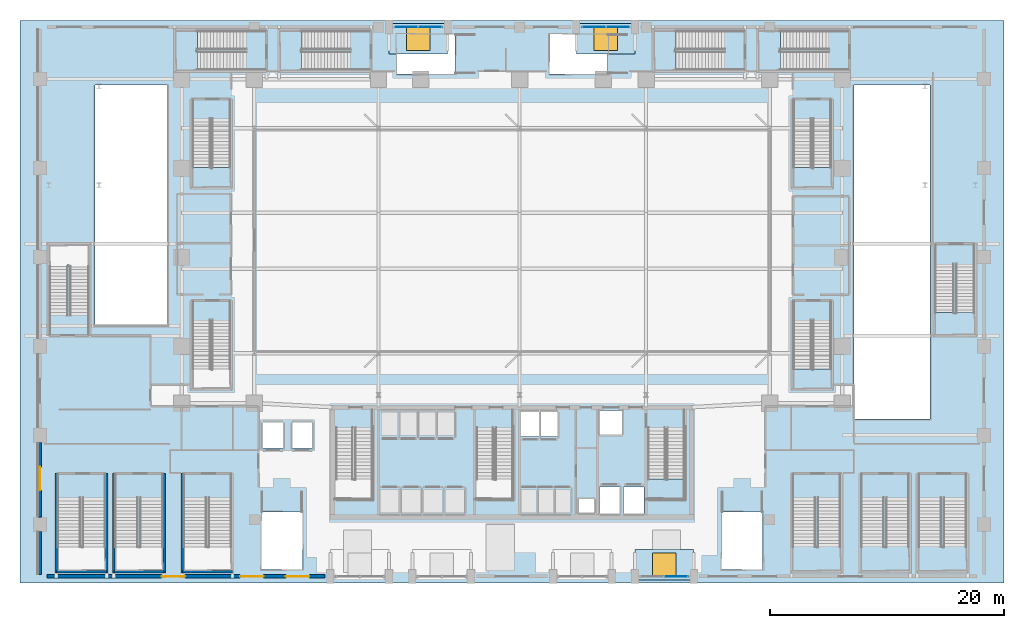
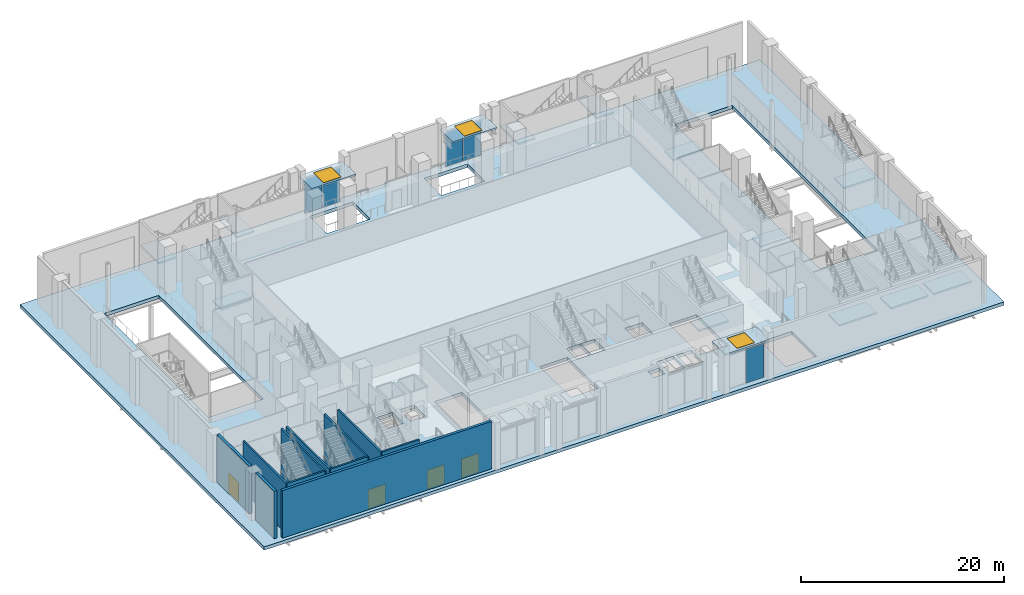
# One storey, part 17 of 36: 16 slabs, 11 walls, 5 plates, 4 doors, 3 windows, 7 openings, 15 elements without a shape of their own.
"""IFC4 building model written with IfcOpenShell, lengths in metres."""

import ifcopenshell
import ifcopenshell.guid

model = None  # the IFC model being written
_history = None  # IfcOwnerHistory: only IFC2X3 demands one
_inside = {}  # id of a spatial element -> (the spatial element, [elements in it])
_under = {}  # id of a project, library or spatial element -> (it, [spatial elements below it])
_declared = {}  # id of a project -> (the project, [libraries it declares])
_typed = {}  # id of a type object -> (the type object, [elements of that type])
_made_of = {}  # id of a material, layer set ... -> (it, [elements and type objects made of it])


def new_model(schema):
    """Start an empty IFC model of exactly this schema.

    Asked for "IFC4X3", IfcOpenShell would pick the latest addendum, in which some entities
    have other attributes; the version numbers below select the first issue.
    IFC2X3 requires an IfcOwnerHistory on every rooted entity: one is made here for all.
    """
    global model, _history
    if schema == "IFC4X3":
        model = ifcopenshell.file(schema_version=(4, 3, 0, 0))
    else:
        model = ifcopenshell.file(schema=schema)
    _inside.clear()
    _under.clear()
    _declared.clear()
    _typed.clear()
    _made_of.clear()
    _history = None
    if model.schema == "IFC2X3":
        org = make("IfcOrganization", Name="unknown")
        user = make(
            "IfcPersonAndOrganization",
            ThePerson=make("IfcPerson", FamilyName="unknown"),
            TheOrganization=org,
        )
        app = make(
            "IfcApplication",
            ApplicationDeveloper=org,
            Version="unknown",
            ApplicationFullName="unknown",
            ApplicationIdentifier="unknown",
        )
        _history = make(
            "IfcOwnerHistory",
            OwningUser=user,
            OwningApplication=app,
            ChangeAction="ADDED",
            CreationDate=0,
        )
    return model


def make(cls, **values):
    """One entity of the class cls with the attributes given. An attribute that is None is left unset."""
    return model.create_entity(
        cls, **{name: value for name, value in values.items() if value is not None}
    )


def rooted(cls, **values):
    """An entity with a GlobalId (a new one), such as an element, a storey or a relation."""
    return make(cls, GlobalId=ifcopenshell.guid.new(), OwnerHistory=_history, **values)


def si_unit(unit_type, name, prefix=None):
    """IfcSIUnit, for example si_unit("LENGTHUNIT", "METRE", prefix="MILLI")."""
    return make("IfcSIUnit", UnitType=unit_type, Prefix=prefix, Name=name)


def assignment(units):
    """IfcUnitAssignment: the units of a project."""
    return None if units is None else make("IfcUnitAssignment", Units=units)


def point(xyz):
    """IfcCartesianPoint."""
    return None if xyz is None else make("IfcCartesianPoint", Coordinates=xyz)


def direction(xyz):
    """IfcDirection."""
    return None if xyz is None else make("IfcDirection", DirectionRatios=xyz)


def frame(location, z_axis=None, x_axis=None):
    """IfcAxis2Placement3D, a coordinate frame: its origin and axes. An axis left out is left unset."""
    return make(
        "IfcAxis2Placement3D",
        Location=point(location),
        Axis=direction(z_axis),
        RefDirection=direction(x_axis),
    )


def frame_2d(location, x_axis=None):
    """IfcAxis2Placement2D, a coordinate frame in the plane: its origin and x axis."""
    return make(
        "IfcAxis2Placement2D", Location=point(location), RefDirection=direction(x_axis)
    )


def origin():
    """The frame at (0, 0, 0) with its axes left unset."""
    return frame((0.0, 0.0, 0.0))


def origin_2d():
    """The frame at (0, 0) in the plane with its x axis left unset."""
    return frame_2d((0.0, 0.0))


def place(relative_to, where):
    """IfcLocalPlacement: puts the frame where relative to a parent placement (None: the world)."""
    return make(
        "IfcLocalPlacement", PlacementRelTo=relative_to, RelativePlacement=where
    )


def context(
    kind, dimensions, precision=None, world=None, true_north=None, identifier=None
):
    """IfcGeometricRepresentationContext, for example the 3D "Model" context."""
    return make(
        "IfcGeometricRepresentationContext",
        ContextIdentifier=identifier,
        ContextType=kind,
        CoordinateSpaceDimension=dimensions,
        Precision=precision,
        WorldCoordinateSystem=world,
        TrueNorth=true_north,
    )


def subcontext(parent, identifier, kind, view, scale=None):
    """IfcGeometricRepresentationSubContext, for example "Body" below "Model"."""
    return make(
        "IfcGeometricRepresentationSubContext",
        ContextIdentifier=identifier,
        ContextType=kind,
        ParentContext=parent,
        TargetScale=scale,
        TargetView=view,
    )


def project(units=None, contexts=None):
    """IfcProject with its units and contexts."""
    return rooted(
        "IfcProject",
        Name="project",
        RepresentationContexts=contexts,
        UnitsInContext=assignment(units),
    )


def spatial(cls, under=None, at=None, **own):
    """A site, building, storey or space (cls), placed at a placement, below another one or the project."""
    s = rooted(cls, ObjectPlacement=at, **own)
    if under is not None:
        _under.setdefault(under.id(), (under, []))[1].append(s)
    return s


def polyline(points):
    """IfcPolyline through the points."""
    return make("IfcPolyline", Points=[point(p) for p in points])


def profile(cls, at=None, kind="AREA", **sizes):
    """A parametric profile (cls). Its sizes go by their IFC names, for example OverallWidth=200.0."""
    return make(cls, ProfileType=kind, Position=at, **sizes)


def rectangle(**sizes):
    """IfcRectangleProfileDef."""
    return profile("IfcRectangleProfileDef", **sizes)


def outline(outer, holes=None, kind="AREA"):
    """IfcArbitraryClosedProfileDef: a profile drawn as a closed curve; with holes, ...WithVoids."""
    if holes is None:
        return make("IfcArbitraryClosedProfileDef", ProfileType=kind, OuterCurve=outer)
    return make(
        "IfcArbitraryProfileDefWithVoids",
        ProfileType=kind,
        OuterCurve=outer,
        InnerCurves=holes,
    )


def extrude(swept, where, along, depth):
    """IfcExtrudedAreaSolid: the profile swept, set in the frame where, extruded along a direction by depth."""
    return make(
        "IfcExtrudedAreaSolid",
        SweptArea=swept,
        Position=where,
        ExtrudedDirection=direction(along),
        Depth=depth,
    )


def shape(context_of_items, identifier, shape_type, items):
    """IfcShapeRepresentation: the items that make up one representation, for example the "Body"."""
    return make(
        "IfcShapeRepresentation",
        ContextOfItems=context_of_items,
        RepresentationIdentifier=identifier,
        RepresentationType=shape_type,
        Items=items,
    )


def material(Name=None, Category=None):
    """IfcMaterial."""
    return make("IfcMaterial", Name=Name, Category=Category)


def layer(
    of_material, thickness, ventilated=None, Name=None, Category=None, Priority=None
):
    """IfcMaterialLayer: one layer of a wall or slab, of a material (None: an air gap)."""
    return make(
        "IfcMaterialLayer",
        Material=of_material,
        LayerThickness=thickness,
        IsVentilated=ventilated,
        Name=Name,
        Category=Category,
        Priority=Priority,
    )


def layer_set(layers, Name=None):
    """IfcMaterialLayerSet."""
    return make("IfcMaterialLayerSet", MaterialLayers=layers, LayerSetName=Name)


def made_of(thing, what):
    """Note that an element or type object is made of a material, layer set ...; save() writes the relation."""
    if what is not None:
        _made_of.setdefault(what.id(), (what, []))[1].append(thing)
    return thing


def type_object(cls, material=None, **own):
    """A type object (cls), such as IfcWallType, which elements share."""
    return made_of(rooted(cls, **own), material)


def element(
    cls,
    number,
    at=None,
    inside=None,
    cuts=None,
    type_object=None,
    material=None,
    context=None,
    identifier="Body",
    shape_type=None,
    held_by="IfcProductDefinitionShape",
    body=None,
    shapes=None,
    **own,
):
    """One element of the class cls, such as IfcWall. Its Tag is "e" and its number.

    at: its placement. inside: the storey or other place that contains it. cuts: it is an
    opening in that element (IfcRelVoidsElement). A single representation is given by context,
    identifier, shape_type and body (its items); several are given by shapes. held_by: the class
    of the entity that holds the representations. save() writes the other relations.
    """
    e = rooted(cls, Tag="e%d" % number, ObjectPlacement=at, **own)
    if body is not None:
        shapes = [shape(context, identifier, shape_type, body)]
    if shapes is not None:
        e.Representation = make(held_by, Representations=shapes)
    if inside is not None:
        _inside.setdefault(inside.id(), (inside, []))[1].append(e)
    if cuts is not None:
        rooted(
            "IfcRelVoidsElement", RelatingBuildingElement=cuts, RelatedOpeningElement=e
        )
    if type_object is not None:
        _typed.setdefault(type_object.id(), (type_object, []))[1].append(e)
    return made_of(e, material)


def fill(opening, filler):
    """IfcRelFillsElement: the door or window that sits in an opening."""
    return rooted(
        "IfcRelFillsElement",
        RelatingOpeningElement=opening,
        RelatedBuildingElement=filler,
    )


def aggregate(whole, parts):
    """IfcRelAggregates: a whole, such as a stair, and the parts it consists of."""
    return rooted("IfcRelAggregates", RelatingObject=whole, RelatedObjects=parts)


def save(model, path):
    """Write the relations noted so far, then the file.

    IfcRelAggregates (storeys below a building ...), IfcRelContainedInSpatialStructure (elements
    in a storey), IfcRelDefinesByType, IfcRelAssociatesMaterial and IfcRelDeclares: one each for
    every whole, place, type object, material and project.
    """
    for whole, parts in _under.values():
        aggregate(whole, parts)
    for where, things in _inside.values():
        rooted(
            "IfcRelContainedInSpatialStructure",
            RelatedElements=things,
            RelatingStructure=where,
        )
    for kind, things in _typed.values():
        rooted("IfcRelDefinesByType", RelatedObjects=things, RelatingType=kind)
    for what, things in _made_of.values():
        rooted("IfcRelAssociatesMaterial", RelatedObjects=things, RelatingMaterial=what)
    for by, libraries in _declared.values():
        rooted("IfcRelDeclares", RelatingContext=by, RelatedDefinitions=libraries)
    model.write(path)


model = new_model("IFC4")

# Units and contexts
model_context = context("Model", 3, precision=1e-05, world=origin(), true_north=direction((0.0, 1.0)))
body_context = subcontext(model_context, "Body", "Model", "MODEL_VIEW")
ifc_project = project(units=[si_unit("LENGTHUNIT", "METRE"), si_unit("AREAUNIT", "SQUARE_METRE"), si_unit("VOLUMEUNIT", "CUBIC_METRE"), si_unit("PLANEANGLEUNIT", "RADIAN"), si_unit("MASSUNIT", "GRAM", prefix="KILO")], contexts=[model_context])

# Site, building, storey
site_placement = place(None, origin())
site = spatial("IfcSite", under=ifc_project, at=site_placement, CompositionType="ELEMENT")
building_placement = place(site_placement, origin())
building = spatial("IfcBuilding", under=site, at=building_placement, Name="Ndaravel Arena Tower", CompositionType="ELEMENT")
storey_placement = place(building_placement, origin())
storey = spatial("IfcBuildingStorey", under=building, at=storey_placement, Name="L00", CompositionType="ELEMENT", Elevation=0.0)

# Curtain wall, plate
ifc_material_1 = material(Name="Aluminium", Category="aluminium")
ifc_layer_1 = layer(ifc_material_1, 0.179931640625)
ifc_layer_set_1 = layer_set([ifc_layer_1], Name="Aluminium")
curtain_wall_type = type_object("IfcCurtainWallType", Name="CW-SYS-05", PredefinedType="NOTDEFINED", material=ifc_layer_set_1)
curtain_wall_1_placement = place(storey_placement, origin())
curtain_wall_1 = element("IfcCurtainWall", 1, at=curtain_wall_1_placement, inside=storey, type_object=curtain_wall_type, Name="L00 South Foyer Storefront CW-L00-SF-4", PredefinedType="NOTDEFINED")
ifc_material_2 = material(Name="Glazing", Category="glass")
ifc_layer_2 = layer(ifc_material_2, 0.0400390625)
ifc_layer_set_2 = layer_set([ifc_layer_2], Name="Glazing")
plate_type = type_object("IfcPlateType", Name="PLT-GLZ-LOWIRON", PredefinedType="CURTAIN_PANEL", material=ifc_layer_set_2)
plate_1_placement = place(storey_placement, frame((56.02490234375, 0.550048828125, 0.06005859375), z_axis=(0.0, 0.0, 1.0), x_axis=(1.0, 0.0, 0.0)))
plate_1 = element("IfcPlate", 2, at=plate_1_placement, type_object=plate_type, Name="CW-L00-SF-4 Vision Glass Panel 02", PredefinedType="CURTAIN_PANEL", context=body_context, shape_type="SweptSolid", body=[
    extrude(rectangle(XDim=1.969970703125, YDim=0.035888671875, at=origin_2d()), origin(), (0.0, 0.0, 1.0), 4.06005859375),
])
aggregate(curtain_wall_1, [plate_1])

# Curtain wall, plates
curtain_wall_2_placement = place(storey_placement, origin())
curtain_wall_2 = element("IfcCurtainWall", 3, at=curtain_wall_2_placement, inside=storey, type_object=curtain_wall_type, Name="L00 North Plaza Storefront CW-L00-NF-1", PredefinedType="NOTDEFINED")
plate_2_placement = place(storey_placement, frame((32.97509765625, 47.449951171875, 0.06005859375), z_axis=(0.0, 0.0, 1.0), x_axis=(1.0, 0.0, 0.0)))
plate_2 = element("IfcPlate", 4, at=plate_2_placement, type_object=plate_type, Name="CW-L00-NF-1 Vision Glass Panel 01", PredefinedType="CURTAIN_PANEL", context=body_context, shape_type="SweptSolid", body=[
    extrude(rectangle(XDim=1.969970703125, YDim=0.035888671875, at=origin_2d()), origin(), (0.0, 0.0, 1.0), 4.06005859375),
])
plate_3_placement = place(storey_placement, frame((35.02490234375, 47.449951171875, 0.06005859375), z_axis=(0.0, 0.0, 1.0), x_axis=(1.0, 0.0, 0.0)))
plate_3 = element("IfcPlate", 5, at=plate_3_placement, type_object=plate_type, Name="CW-L00-NF-1 Vision Glass Panel 02", PredefinedType="CURTAIN_PANEL", context=body_context, shape_type="SweptSolid", body=[
    extrude(rectangle(XDim=1.969970703125, YDim=0.035888671875, at=origin_2d()), origin(), (0.0, 0.0, 1.0), 4.06005859375),
])
aggregate(curtain_wall_2, [plate_2, plate_3])

curtain_wall_3_placement = place(storey_placement, origin())
curtain_wall_3 = element("IfcCurtainWall", 6, at=curtain_wall_3_placement, inside=storey, type_object=curtain_wall_type, Name="L00 North Plaza Storefront CW-L00-NF-2", PredefinedType="NOTDEFINED")
plate_4_placement = place(storey_placement, frame((48.97509765625, 47.449951171875, 0.06005859375), z_axis=(0.0, 0.0, 1.0), x_axis=(1.0, 0.0, 0.0)))
plate_4 = element("IfcPlate", 7, at=plate_4_placement, type_object=plate_type, Name="CW-L00-NF-2 Vision Glass Panel 01", PredefinedType="CURTAIN_PANEL", context=body_context, shape_type="SweptSolid", body=[
    extrude(rectangle(XDim=1.969970703125, YDim=0.035888671875, at=origin_2d()), origin(), (0.0, 0.0, 1.0), 4.06005859375),
])
plate_5_placement = place(storey_placement, frame((51.02490234375, 47.449951171875, 0.06005859375), z_axis=(0.0, 0.0, 1.0), x_axis=(1.0, 0.0, 0.0)))
plate_5 = element("IfcPlate", 8, at=plate_5_placement, type_object=plate_type, Name="CW-L00-NF-2 Vision Glass Panel 02", PredefinedType="CURTAIN_PANEL", context=body_context, shape_type="SweptSolid", body=[
    extrude(rectangle(XDim=1.969970703125, YDim=0.035888671875, at=origin_2d()), origin(), (0.0, 0.0, 1.0), 4.06005859375),
])
aggregate(curtain_wall_3, [plate_4, plate_5])

# Slab, opening, window
ifc_material_3 = material(Name="Concrete C40/50", Category="concrete")
ifc_layer_3 = layer(ifc_material_3, 0.199951171875)
ifc_layer_set_3 = layer_set([ifc_layer_3], Name="Concrete C40/50")
slab_type_1 = type_object("IfcSlabType", Name="SLAB-CANOPY-ROOF-200", PredefinedType="ROOF", material=ifc_layer_set_3)
slab_1_placement = place(storey_placement, frame((0.0, 0.0, 4.39990234375)))
slab_1 = element("IfcSlab", 9, at=slab_1_placement, inside=storey, type_object=slab_type_1, Name="L00 Entrance Canopy Roof 04", PredefinedType="ROOF", context=body_context, shape_type="SweptSolid", body=[
    extrude(outline(polyline([(52.5, 0.25), (57.5, 0.25), (57.5, 2.85009765625), (52.5, 2.85009765625), (52.5, 0.25)]), holes=[polyline([(54.0, 0.550048828125), (56.0, 0.550048828125), (56.0, 2.550048828125), (54.0, 2.550048828125), (54.0, 0.550048828125)])]), origin(), (0.0, 0.0, 1.0), 0.2001953125),
])
opening_1_placement = place(slab_1_placement, frame((55.0, 1.550048828125, 0.0)))
opening_1 = element("IfcOpeningElement", 10, at=opening_1_placement, cuts=slab_1, Name="Opening SK-01", PredefinedType="OPENING", context=body_context, shape_type="SweptSolid", body=[
    extrude(rectangle(XDim=2.0, YDim=2.0, at=origin_2d()), origin(), (0.0, 0.0, 1.0), 0.2001953125),
])
ifc_material_4 = material(Name="Glazing", Category="glass")
window_type = type_object("IfcWindowType", Name="WIN-SKY-2000", PartitioningType="SINGLE_PANEL", PredefinedType="SKYLIGHT", material=ifc_material_4)
window_1_placement = place(opening_1_placement, frame((0.0, 0.0, 0.150146484375)))
window_1 = element("IfcWindow", 11, at=window_1_placement, inside=storey, type_object=window_type, Name="Entrance Canopy Roof Skylight 04", OverallHeight=2.0, OverallWidth=2.0, PartitioningType="SINGLE_PANEL", PredefinedType="SKYLIGHT", context=body_context, shape_type="SweptSolid", body=[
    extrude(rectangle(XDim=2.0, YDim=2.0, at=origin_2d()), origin(), (0.0, 0.0, 1.0), 0.050048828125),
])
fill(opening_1, window_1)

slab_2_placement = place(storey_placement, frame((0.0, 0.0, 4.39990234375)))
slab_2 = element("IfcSlab", 12, at=slab_2_placement, inside=storey, type_object=slab_type_1, Name="L00 Entrance Canopy Roof 05", PredefinedType="ROOF", context=body_context, shape_type="SweptSolid", body=[
    extrude(outline(polyline([(31.5, 45.14990234375), (36.5, 45.14990234375), (36.5, 47.75), (31.5, 47.75), (31.5, 45.14990234375)]), holes=[polyline([(33.0, 45.449951171875), (35.0, 45.449951171875), (35.0, 47.449951171875), (33.0, 47.449951171875), (33.0, 45.449951171875)])]), origin(), (0.0, 0.0, 1.0), 0.2001953125),
])
opening_2_placement = place(slab_2_placement, frame((34.0, 46.449951171875, 0.0)))
opening_2 = element("IfcOpeningElement", 13, at=opening_2_placement, cuts=slab_2, Name="Opening SK-01", PredefinedType="OPENING", context=body_context, shape_type="SweptSolid", body=[
    extrude(rectangle(XDim=2.0, YDim=2.0, at=origin_2d()), origin(), (0.0, 0.0, 1.0), 0.2001953125),
])
window_2_placement = place(opening_2_placement, frame((0.0, 0.0, 0.150146484375)))
window_2 = element("IfcWindow", 14, at=window_2_placement, inside=storey, type_object=window_type, Name="Entrance Canopy Roof Skylight 05", OverallHeight=2.0, OverallWidth=2.0, PartitioningType="SINGLE_PANEL", PredefinedType="SKYLIGHT", context=body_context, shape_type="SweptSolid", body=[
    extrude(rectangle(XDim=2.0, YDim=2.0, at=origin_2d()), origin(), (0.0, 0.0, 1.0), 0.050048828125),
])
fill(opening_2, window_2)

slab_3_placement = place(storey_placement, frame((0.0, 0.0, 4.39990234375)))
slab_3 = element("IfcSlab", 15, at=slab_3_placement, inside=storey, type_object=slab_type_1, Name="L00 Entrance Canopy Roof 06", PredefinedType="ROOF", context=body_context, shape_type="SweptSolid", body=[
    extrude(outline(polyline([(47.5, 45.14990234375), (52.5, 45.14990234375), (52.5, 47.75), (47.5, 47.75), (47.5, 45.14990234375)]), holes=[polyline([(49.0, 45.449951171875), (51.0, 45.449951171875), (51.0, 47.449951171875), (49.0, 47.449951171875), (49.0, 45.449951171875)])]), origin(), (0.0, 0.0, 1.0), 0.2001953125),
])
opening_3_placement = place(slab_3_placement, frame((50.0, 46.449951171875, 0.0)))
opening_3 = element("IfcOpeningElement", 16, at=opening_3_placement, cuts=slab_3, Name="Opening SK-01", PredefinedType="OPENING", context=body_context, shape_type="SweptSolid", body=[
    extrude(rectangle(XDim=2.0, YDim=2.0, at=origin_2d()), origin(), (0.0, 0.0, 1.0), 0.2001953125),
])
window_3_placement = place(opening_3_placement, frame((0.0, 0.0, 0.150146484375)))
window_3 = element("IfcWindow", 17, at=window_3_placement, inside=storey, type_object=window_type, Name="Entrance Canopy Roof Skylight 06", OverallHeight=2.0, OverallWidth=2.0, PartitioningType="SINGLE_PANEL", PredefinedType="SKYLIGHT", context=body_context, shape_type="SweptSolid", body=[
    extrude(rectangle(XDim=2.0, YDim=2.0, at=origin_2d()), origin(), (0.0, 0.0, 1.0), 0.050048828125),
])
fill(opening_3, window_3)

# Slab
ifc_material_5 = material(Name="Concrete C40/50", Category="concrete")
ifc_layer_4 = layer(ifc_material_5, 0.39990234375)
ifc_layer_set_4 = layer_set([ifc_layer_4], Name="Concrete C40/50")
slab_type_2 = type_object("IfcSlabType", Name="SLAB-L00-400", PredefinedType="FLOOR", material=ifc_layer_set_4)
slab_4_placement = place(storey_placement, frame((0.0, 0.0, -0.39990234375)))
element("IfcSlab", 18, at=slab_4_placement, inside=storey, type_object=slab_type_2, Name="L00 Structural Floor Slab", PredefinedType="FLOOR", context=body_context, shape_type="SweptSolid", body=[
    extrude(outline(polyline([(0.0, 0.0), (84.0, 0.0), (84.0, 48.0), (0.0, 48.0), (0.0, 0.0)]), holes=[polyline([(26.949951171875, 13.215087890625), (26.949951171875, 7.14990234375), (30.090087890625, 7.14990234375), (30.090087890625, 13.215087890625), (26.949951171875, 13.215087890625)]), polyline([(38.949951171875, 13.215087890625), (38.949951171875, 7.14990234375), (42.090087890625, 7.14990234375), (42.090087890625, 13.215087890625), (38.949951171875, 13.215087890625)]), polyline([(53.60009765625, 13.215087890625), (53.60009765625, 7.14990234375), (56.739990234375, 7.14990234375), (56.739990234375, 13.215087890625), (53.60009765625, 13.215087890625)]), polyline([(20.60009765625, 6.034912109375), (20.60009765625, 1.14990234375), (24.10009765625, 1.14990234375), (24.10009765625, 6.034912109375), (20.60009765625, 6.034912109375)]), polyline([(59.89990234375, 6.034912109375), (59.89990234375, 1.14990234375), (63.39990234375, 1.14990234375), (63.39990234375, 6.034912109375), (59.89990234375, 6.034912109375)]), polyline([(37.14501953125, 46.840087890625), (32.199951171875, 46.840087890625), (32.199951171875, 43.4599609375), (37.14501953125, 43.4599609375), (37.14501953125, 46.840087890625)]), polyline([(50.14501953125, 46.840087890625), (45.199951171875, 46.840087890625), (45.199951171875, 43.4599609375), (50.14501953125, 43.4599609375), (50.14501953125, 46.840087890625)]), polyline([(42.784912109375, 12.510009765625), (44.31494140625, 12.510009765625), (44.31494140625, 14.590087890625), (42.784912109375, 14.590087890625), (42.784912109375, 12.510009765625)]), polyline([(44.385009765625, 12.510009765625), (45.9150390625, 12.510009765625), (45.9150390625, 14.590087890625), (44.385009765625, 14.590087890625), (44.385009765625, 12.510009765625)]), polyline([(49.485107421875, 5.909912109375), (51.215087890625, 5.909912109375), (51.215087890625, 8.18994140625), (49.485107421875, 8.18994140625), (49.485107421875, 5.909912109375)]), polyline([(51.534912109375, 5.909912109375), (53.264892578125, 5.909912109375), (53.264892578125, 8.18994140625), (51.534912109375, 8.18994140625), (51.534912109375, 5.909912109375)]), polyline([(49.4599609375, 12.68505859375), (51.43994140625, 12.68505859375), (51.43994140625, 14.715087890625), (49.4599609375, 14.715087890625), (49.4599609375, 12.68505859375)]), polyline([(20.735107421875, 11.510009765625), (22.465087890625, 11.510009765625), (22.465087890625, 13.68994140625), (20.735107421875, 13.68994140625), (20.735107421875, 11.510009765625)]), polyline([(23.235107421875, 11.510009765625), (24.965087890625, 11.510009765625), (24.965087890625, 13.68994140625), (23.235107421875, 13.68994140625), (23.235107421875, 11.510009765625)]), polyline([(47.699951171875, 6.0), (49.0, 6.0), (49.0, 7.139892578125), (47.699951171875, 7.139892578125), (47.699951171875, 6.0)]), polyline([(6.39990234375, 22.0), (12.60009765625, 22.0), (12.60009765625, 42.52001953125), (6.39990234375, 42.52001953125), (6.39990234375, 22.0)]), polyline([(71.199951171875, 13.97998046875), (77.699951171875, 13.97998046875), (77.699951171875, 42.52001953125), (71.199951171875, 42.52001953125), (71.199951171875, 13.97998046875)])]), origin(), (0.0, 0.0, 1.0), 0.39990234375),
])

# Stair, slab
ifc_material_6 = material(Name="Concrete C40/50", Category="concrete")
stair_type_1 = type_object("IfcStairType", Name="STAIR-CORE-HT", PredefinedType="HALF_TURN_STAIR", material=ifc_material_6)
stair_1_placement = place(storey_placement, origin())
stair_1 = element("IfcStair", 19, at=stair_1_placement, inside=storey, type_object=stair_type_1, Name="L00 ST-3", PredefinedType="HALF_TURN_STAIR")
ifc_material_7 = material(Name="Concrete C40/50", Category="concrete")
ifc_layer_5 = layer(ifc_material_7, 0.199951171875)
ifc_layer_set_5 = layer_set([ifc_layer_5], Name="Concrete C40/50")
slab_type_3 = type_object("IfcSlabType", Name="SLAB-STAIR-LANDING", PredefinedType="LANDING", material=ifc_layer_set_5)
slab_5_placement = place(storey_placement, frame((0.0, 0.0, 2.800048828125)))
slab_5 = element("IfcSlab", 20, at=slab_5_placement, type_object=slab_type_3, Name="ST-3 landing 1", PredefinedType="LANDING", context=body_context, shape_type="SweptSolid", body=[
    extrude(outline(polyline([(53.4599609375, 8.860107421875), (53.4599609375, 7.070068359375), (56.820068359375, 7.070068359375), (56.820068359375, 8.860107421875), (53.4599609375, 8.860107421875)])), origin(), (0.0, 0.0, 1.0), 0.199951171875),
])
aggregate(stair_1, [slab_5])

ifc_material_8 = material(Name="Concrete C40/50", Category="concrete")
stair_type_2 = type_object("IfcStairType", Name="STAIR-ARENA-HT", PredefinedType="HALF_TURN_STAIR", material=ifc_material_8)
stair_2_placement = place(storey_placement, origin())
stair_2 = element("IfcStair", 21, at=stair_2_placement, inside=storey, type_object=stair_type_2, Name="L00 ST-A04", PredefinedType="HALF_TURN_STAIR")
slab_6_placement = place(storey_placement, frame((0.0, 0.0, 2.800048828125)))
slab_6 = element("IfcSlab", 22, at=slab_6_placement, type_object=slab_type_3, Name="ST-A04 landing 1", PredefinedType="LANDING", context=body_context, shape_type="SweptSolid", body=[
    extrude(outline(polyline([(65.8701171875, 3.10498046875), (65.8701171875, 0.969970703125), (70.1298828125, 0.969970703125), (70.1298828125, 3.10498046875), (65.8701171875, 3.10498046875)])), origin(), (0.0, 0.0, 1.0), 0.199951171875),
])
aggregate(stair_2, [slab_6])

stair_3_placement = place(storey_placement, origin())
stair_3 = element("IfcStair", 23, at=stair_3_placement, inside=storey, type_object=stair_type_2, Name="L00 ST-A05", PredefinedType="HALF_TURN_STAIR")
slab_7_placement = place(storey_placement, frame((0.0, 0.0, 2.800048828125)))
slab_7 = element("IfcSlab", 24, at=slab_7_placement, type_object=slab_type_3, Name="ST-A05 landing 1", PredefinedType="LANDING", context=body_context, shape_type="SweptSolid", body=[
    extrude(outline(polyline([(71.719970703125, 3.10498046875), (71.719970703125, 0.969970703125), (75.97998046875, 0.969970703125), (75.97998046875, 3.10498046875), (71.719970703125, 3.10498046875)])), origin(), (0.0, 0.0, 1.0), 0.199951171875),
])
aggregate(stair_3, [slab_7])

stair_4_placement = place(storey_placement, origin())
stair_4 = element("IfcStair", 25, at=stair_4_placement, inside=storey, type_object=stair_type_2, Name="L00 ST-A06", PredefinedType="HALF_TURN_STAIR")
slab_8_placement = place(storey_placement, frame((0.0, 0.0, 2.800048828125)))
slab_8 = element("IfcSlab", 26, at=slab_8_placement, type_object=slab_type_3, Name="ST-A06 landing 1", PredefinedType="LANDING", context=body_context, shape_type="SweptSolid", body=[
    extrude(outline(polyline([(76.6201171875, 3.10498046875), (76.6201171875, 0.969970703125), (80.8798828125, 0.969970703125), (80.8798828125, 3.10498046875), (76.6201171875, 3.10498046875)])), origin(), (0.0, 0.0, 1.0), 0.199951171875),
])
aggregate(stair_4, [slab_8])

ifc_material_9 = material(Name="Concrete C40/50", Category="concrete")
stair_type_3 = type_object("IfcStairType", Name="STAIR-POD-QT", PredefinedType="QUARTER_TURN_STAIR", material=ifc_material_9)
stair_5_placement = place(storey_placement, origin())
stair_5 = element("IfcStair", 27, at=stair_5_placement, inside=storey, type_object=stair_type_3, Name="L00 ST-A08", PredefinedType="QUARTER_TURN_STAIR")
slab_9_placement = place(storey_placement, frame((0.0, 0.0, 2.800048828125)))
slab_9 = element("IfcSlab", 28, at=slab_9_placement, type_object=slab_type_3, Name="ST-A08 landing 1", PredefinedType="LANDING", context=body_context, shape_type="SweptSolid", body=[
    extrude(outline(polyline([(15.1650390625, 47.219970703125), (13.219970703125, 47.219970703125), (13.219970703125, 43.679931640625), (15.1650390625, 43.679931640625), (15.1650390625, 47.219970703125)])), origin(), (0.0, 0.0, 1.0), 0.199951171875),
])
aggregate(stair_5, [slab_9])

stair_6_placement = place(storey_placement, origin())
stair_6 = element("IfcStair", 29, at=stair_6_placement, inside=storey, type_object=stair_type_3, Name="L00 ST-A09", PredefinedType="QUARTER_TURN_STAIR")
slab_10_placement = place(storey_placement, frame((0.0, 0.0, 2.800048828125)))
slab_10 = element("IfcSlab", 30, at=slab_10_placement, type_object=slab_type_3, Name="ST-A09 landing 1", PredefinedType="LANDING", context=body_context, shape_type="SweptSolid", body=[
    extrude(outline(polyline([(24.06494140625, 47.219970703125), (22.1201171875, 47.219970703125), (22.1201171875, 43.679931640625), (24.06494140625, 43.679931640625), (24.06494140625, 47.219970703125)])), origin(), (0.0, 0.0, 1.0), 0.199951171875),
])
aggregate(stair_6, [slab_10])

stair_7_placement = place(storey_placement, origin())
stair_7 = element("IfcStair", 31, at=stair_7_placement, inside=storey, type_object=stair_type_3, Name="L00 ST-A10", PredefinedType="QUARTER_TURN_STAIR")
slab_11_placement = place(storey_placement, frame((0.0, 0.0, 2.800048828125)))
slab_11 = element("IfcSlab", 32, at=slab_11_placement, type_object=slab_type_3, Name="ST-A10 landing 1", PredefinedType="LANDING", context=body_context, shape_type="SweptSolid", body=[
    extrude(outline(polyline([(56.014892578125, 47.219970703125), (54.070068359375, 47.219970703125), (54.070068359375, 43.679931640625), (56.014892578125, 43.679931640625), (56.014892578125, 47.219970703125)])), origin(), (0.0, 0.0, 1.0), 0.199951171875),
])
aggregate(stair_7, [slab_11])

stair_8_placement = place(storey_placement, origin())
stair_8 = element("IfcStair", 33, at=stair_8_placement, inside=storey, type_object=stair_type_3, Name="L00 ST-A11", PredefinedType="QUARTER_TURN_STAIR")
slab_12_placement = place(storey_placement, frame((0.0, 0.0, 2.800048828125)))
slab_12 = element("IfcSlab", 34, at=slab_12_placement, type_object=slab_type_3, Name="ST-A11 landing 1", PredefinedType="LANDING", context=body_context, shape_type="SweptSolid", body=[
    extrude(outline(polyline([(64.9150390625, 47.219970703125), (62.969970703125, 47.219970703125), (62.969970703125, 43.679931640625), (64.9150390625, 43.679931640625), (64.9150390625, 47.219970703125)])), origin(), (0.0, 0.0, 1.0), 0.199951171875),
])
aggregate(stair_8, [slab_12])

stair_9_placement = place(storey_placement, origin())
stair_9 = element("IfcStair", 35, at=stair_9_placement, inside=storey, type_object=stair_type_3, Name="L00 ST-A12", PredefinedType="QUARTER_TURN_STAIR")
slab_13_placement = place(storey_placement, frame((0.0, 0.0, 2.800048828125)))
slab_13 = element("IfcSlab", 36, at=slab_13_placement, type_object=slab_type_3, Name="ST-A12 landing 1", PredefinedType="LANDING", context=body_context, shape_type="SweptSolid", body=[
    extrude(outline(polyline([(78.0400390625, 23.06494140625), (78.0400390625, 21.1201171875), (81.580078125, 21.1201171875), (81.580078125, 23.06494140625), (78.0400390625, 23.06494140625)])), origin(), (0.0, 0.0, 1.0), 0.199951171875),
])
aggregate(stair_9, [slab_13])

ifc_material_10 = material(Name="Concrete C40/50", Category="concrete")
stair_type_4 = type_object("IfcStairType", Name="STAIR-VOM-STR", PredefinedType="STRAIGHT_RUN_STAIR", material=ifc_material_10)
stair_10_placement = place(storey_placement, origin())
stair_10 = element("IfcStair", 37, at=stair_10_placement, inside=storey, type_object=stair_type_4, Name="L00 ST-VOM-2", PredefinedType="STRAIGHT_RUN_STAIR")
slab_14_placement = place(storey_placement, frame((0.0, 0.0, 2.800048828125)))
slab_14 = element("IfcSlab", 38, at=slab_14_placement, type_object=slab_type_3, Name="ST-VOM-2 landing 1", PredefinedType="LANDING", context=body_context, shape_type="SweptSolid", body=[
    extrude(outline(polyline([(14.6201171875, 35.47509765625), (14.6201171875, 33.719970703125), (18.0400390625, 33.719970703125), (18.0400390625, 35.47509765625), (14.6201171875, 35.47509765625)])), origin(), (0.0, 0.0, 1.0), 0.199951171875),
])
aggregate(stair_10, [slab_14])

stair_11_placement = place(storey_placement, origin())
stair_11 = element("IfcStair", 39, at=stair_11_placement, inside=storey, type_object=stair_type_4, Name="L00 ST-VOM-3", PredefinedType="STRAIGHT_RUN_STAIR")
slab_15_placement = place(storey_placement, frame((0.0, 0.0, 2.800048828125)))
slab_15 = element("IfcSlab", 40, at=slab_15_placement, type_object=slab_type_3, Name="ST-VOM-3 landing 1", PredefinedType="LANDING", context=body_context, shape_type="SweptSolid", body=[
    extrude(outline(polyline([(65.919921875, 18.27490234375), (65.919921875, 16.52001953125), (69.340087890625, 16.52001953125), (69.340087890625, 18.27490234375), (65.919921875, 18.27490234375)])), origin(), (0.0, 0.0, 1.0), 0.199951171875),
])
aggregate(stair_11, [slab_15])

stair_12_placement = place(storey_placement, origin())
stair_12 = element("IfcStair", 41, at=stair_12_placement, inside=storey, type_object=stair_type_4, Name="L00 ST-VOM-4", PredefinedType="STRAIGHT_RUN_STAIR")
slab_16_placement = place(storey_placement, frame((0.0, 0.0, 2.800048828125)))
slab_16 = element("IfcSlab", 42, at=slab_16_placement, type_object=slab_type_3, Name="ST-VOM-4 landing 1", PredefinedType="LANDING", context=body_context, shape_type="SweptSolid", body=[
    extrude(outline(polyline([(65.919921875, 35.47509765625), (65.919921875, 33.719970703125), (69.340087890625, 33.719970703125), (69.340087890625, 35.47509765625), (65.919921875, 35.47509765625)])), origin(), (0.0, 0.0, 1.0), 0.199951171875),
])
aggregate(stair_12, [slab_16])

# Wall, openings, doors
ifc_material_11 = material(Name="Masonry", Category="masonry")
ifc_layer_6 = layer(ifc_material_11, 0.300048828125)
ifc_layer_set_6 = layer_set([ifc_layer_6], Name="Masonry")
wall_type_1 = type_object("IfcWallType", Name="WALL-POD-MAZERAS-300", PredefinedType="SOLIDWALL", material=ifc_layer_set_6)
wall_1_placement = place(storey_placement, frame((26.050048828125, 0.550048828125, 0.0), z_axis=(0.0, 0.0, 1.0), x_axis=(-1.0, 0.0, 0.0)))
wall_1 = element("IfcWall", 43, at=wall_1_placement, inside=storey, type_object=wall_type_1, Name="L00 South-West Mazeras Stone Wall", PredefinedType="SOLIDWALL", context=body_context, shape_type="SweptSolid", body=[
    extrude(rectangle(XDim=23.75, YDim=0.300048828125, at=frame_2d((11.875, 0.0))), origin(), (0.0, 0.0, 1.0), 5.699951171875),
])
opening_4_placement = place(wall_1_placement, frame((5.25, 0.0, 0.0)))
opening_4 = element("IfcOpeningElement", 44, at=opening_4_placement, cuts=wall_1, Name="Opening ED-04", PredefinedType="OPENING", context=body_context, shape_type="SweptSolid", body=[
    extrude(rectangle(XDim=2.0, YDim=2.300048828125, at=frame_2d((1.0, 1.14990234375))), frame((0.0, 0.14990234375, 0.0), z_axis=(0.0, -1.0, 0.0), x_axis=(1.0, 0.0, 0.0)), (0.0, 0.0, 1.0), 0.300048828125),
])
opening_5_placement = place(wall_1_placement, frame((1.35009765625, 0.0, 0.0)))
opening_5 = element("IfcOpeningElement", 45, at=opening_5_placement, cuts=wall_1, Name="Opening ED-04", PredefinedType="OPENING", context=body_context, shape_type="SweptSolid", body=[
    extrude(rectangle(XDim=2.0, YDim=2.300048828125, at=frame_2d((1.0, 1.14990234375))), frame((0.0, 0.14990234375, 0.0), z_axis=(0.0, -1.0, 0.0), x_axis=(1.0, 0.0, 0.0)), (0.0, 0.0, 1.0), 0.300048828125),
])
opening_6_placement = place(wall_1_placement, frame((11.949951171875, 0.0, 0.0)))
opening_6 = element("IfcOpeningElement", 46, at=opening_6_placement, cuts=wall_1, Name="Opening ED-04", PredefinedType="OPENING", context=body_context, shape_type="SweptSolid", body=[
    extrude(rectangle(XDim=2.0, YDim=2.300048828125, at=frame_2d((1.0, 1.14990234375))), frame((0.0, 0.14990234375, 0.0), z_axis=(0.0, -1.0, 0.0), x_axis=(1.0, 0.0, 0.0)), (0.0, 0.0, 1.0), 0.300048828125),
])
ifc_material_12 = material(Name="Aluminium", Category="aluminium")
door_type = type_object("IfcDoorType", Name="ED-EXIT-2000", OperationType="DOUBLE_DOOR_SINGLE_SWING", PredefinedType="DOOR", material=ifc_material_12)
door_1_placement = place(opening_4_placement, origin())
door_1 = element("IfcDoor", 47, at=door_1_placement, inside=storey, type_object=door_type, Name="South-West Concourse Exit Discharge 1", OperationType="DOUBLE_DOOR_SINGLE_SWING", OverallHeight=2.300048828125, OverallWidth=2.0, PredefinedType="DOOR", context=body_context, shape_type="SweptSolid", body=[
    extrude(rectangle(XDim=2.0, YDim=2.300048828125, at=frame_2d((1.0, 1.14990234375))), frame((0.0, 0.02490234375, 0.0), z_axis=(0.0, -1.0, 0.0), x_axis=(1.0, 0.0, 0.0)), (0.0, 0.0, 1.0), 0.050048828125),
])
fill(opening_4, door_1)
door_2_placement = place(opening_5_placement, origin())
door_2 = element("IfcDoor", 48, at=door_2_placement, inside=storey, type_object=door_type, Name="South-West Lobby Exit Discharge 2", OperationType="DOUBLE_DOOR_SINGLE_SWING", OverallHeight=2.300048828125, OverallWidth=2.0, PredefinedType="DOOR", context=body_context, shape_type="SweptSolid", body=[
    extrude(rectangle(XDim=2.0, YDim=2.300048828125, at=frame_2d((1.0, 1.14990234375))), frame((0.0, 0.02490234375, 0.0), z_axis=(0.0, -1.0, 0.0), x_axis=(1.0, 0.0, 0.0)), (0.0, 0.0, 1.0), 0.050048828125),
])
fill(opening_5, door_2)
door_3_placement = place(opening_6_placement, origin())
door_3 = element("IfcDoor", 49, at=door_3_placement, inside=storey, type_object=door_type, Name="Protected Exit Passageway ST-A03 Final Discharge", OperationType="DOUBLE_DOOR_SINGLE_SWING", OverallHeight=2.300048828125, OverallWidth=2.0, PredefinedType="DOOR", context=body_context, shape_type="SweptSolid", body=[
    extrude(rectangle(XDim=2.0, YDim=2.300048828125, at=frame_2d((1.0, 1.14990234375))), frame((0.0, 0.02490234375, 0.0), z_axis=(0.0, -1.0, 0.0), x_axis=(1.0, 0.0, 0.0)), (0.0, 0.0, 1.0), 0.050048828125),
])
fill(opening_6, door_3)

# Wall
wall_2_placement = place(storey_placement, frame((1.699951171875, 0.699951171875, 0.0), z_axis=(0.0, 0.0, 1.0), x_axis=(0.0, 1.0, 0.0)))
element("IfcWall", 50, at=wall_2_placement, inside=storey, type_object=wall_type_1, Name="L00 West Mazeras Bay 1", PredefinedType="SOLIDWALL", context=body_context, shape_type="SweptSolid", body=[
    extrude(rectangle(XDim=3.699951171875, YDim=0.300048828125, at=frame_2d((1.85009765625, 0.0))), origin(), (0.0, 0.0, 1.0), 5.699951171875),
])

# Wall, opening, door
wall_3_placement = place(storey_placement, frame((1.699951171875, 5.6201171875, 0.0), z_axis=(0.0, 0.0, 1.0), x_axis=(0.0, 1.0, 0.0)))
wall_3 = element("IfcWall", 51, at=wall_3_placement, inside=storey, type_object=wall_type_1, Name="L00 West Mazeras Bay 2", PredefinedType="SOLIDWALL", context=body_context, shape_type="SweptSolid", body=[
    extrude(rectangle(XDim=6.35986328125, YDim=0.300048828125, at=frame_2d((3.179931640625, 0.0))), origin(), (0.0, 0.0, 1.0), 5.699951171875),
])
opening_7_placement = place(wall_3_placement, frame((2.280029296875, 0.0, 0.0)))
opening_7 = element("IfcOpeningElement", 52, at=opening_7_placement, cuts=wall_3, Name="Opening ED-04", PredefinedType="OPENING", context=body_context, shape_type="SweptSolid", body=[
    extrude(rectangle(XDim=2.0, YDim=2.300048828125, at=frame_2d((1.0, 1.14990234375))), frame((0.0, 0.14990234375, 0.0), z_axis=(0.0, -1.0, 0.0), x_axis=(1.0, 0.0, 0.0)), (0.0, 0.0, 1.0), 0.300048828125),
])
door_4_placement = place(opening_7_placement, origin())
door_4 = element("IfcDoor", 53, at=door_4_placement, inside=storey, type_object=door_type, Name="Protected Passageway ST-A01 and ST-A02 Final Exit Door", OperationType="DOUBLE_DOOR_SINGLE_SWING", OverallHeight=2.300048828125, OverallWidth=2.0, PredefinedType="DOOR", context=body_context, shape_type="SweptSolid", body=[
    extrude(rectangle(XDim=2.0, YDim=2.300048828125, at=frame_2d((1.0, 1.14990234375))), frame((0.0, 0.02490234375, 0.0), z_axis=(0.0, -1.0, 0.0), x_axis=(1.0, 0.0, 0.0)), (0.0, 0.0, 1.0), 0.050048828125),
])
fill(opening_7, door_4)

# Walls
ifc_material_13 = material(Name="Concrete C40/50", Category="concrete")
ifc_layer_7 = layer(ifc_material_13, 0.199951171875)
ifc_layer_set_7 = layer_set([ifc_layer_7], Name="Concrete C40/50")
wall_type_2 = type_object("IfcWallType", Name="WALL-SHAFT-200", PredefinedType="SOLIDWALL", material=ifc_layer_set_7)
for number, where, z_axis, x_axis, name in (
    (54, (3.10009765625, 9.35009765625, -0.39990234375), (0.0, 0.0, 1.0), (0.0, -1.0, 0.0), "L00 ST-A01 Shaft Wall Left"),
    (55, (7.39990234375, 9.35009765625, -0.39990234375), (0.0, 0.0, 1.0), (0.0, -1.0, 0.0), "L00 ST-A01 Shaft Wall Right"),
):
    element("IfcWall", number, at=place(storey_placement, frame(where, z_axis=z_axis, x_axis=x_axis)), inside=storey, type_object=wall_type_2, Name=name, PredefinedType="SOLIDWALL", context=body_context, shape_type="SweptSolid", body=[
        extrude(rectangle(XDim=8.5, YDim=0.199951171875, at=frame_2d((4.25, 0.0))), origin(), (0.0, 0.0, 1.0), 6.39990234375),
    ])
wall_4_placement = place(storey_placement, frame((3.110107421875, 0.949951171875, -0.39990234375), z_axis=(0.0, 0.0, 1.0), x_axis=(1.0, 0.0, 0.0)))
element("IfcWall", 56, at=wall_4_placement, inside=storey, type_object=wall_type_2, Name="L00 ST-A01 Shaft Wall Far", PredefinedType="SOLIDWALL", context=body_context, shape_type="SweptSolid", body=[
    extrude(rectangle(XDim=4.27978515625, YDim=0.199951171875, at=frame_2d((2.139892578125, 0.0))), origin(), (0.0, 0.0, 1.0), 6.39990234375),
])
for number, where, z_axis, x_axis, name in (
    (57, (8.0, 9.35009765625, -0.39990234375), (0.0, 0.0, 1.0), (0.0, -1.0, 0.0), "L00 ST-A02 Shaft Wall Left"),
    (58, (12.300048828125, 9.35009765625, -0.39990234375), (0.0, 0.0, 1.0), (0.0, -1.0, 0.0), "L00 ST-A02 Shaft Wall Right"),
):
    element("IfcWall", number, at=place(storey_placement, frame(where, z_axis=z_axis, x_axis=x_axis)), inside=storey, type_object=wall_type_2, Name=name, PredefinedType="SOLIDWALL", context=body_context, shape_type="SweptSolid", body=[
        extrude(rectangle(XDim=8.5, YDim=0.199951171875, at=frame_2d((4.25, 0.0))), origin(), (0.0, 0.0, 1.0), 6.39990234375),
    ])
wall_5_placement = place(storey_placement, frame((8.010009765625, 0.949951171875, -0.39990234375), z_axis=(0.0, 0.0, 1.0), x_axis=(1.0, 0.0, 0.0)))
element("IfcWall", 59, at=wall_5_placement, inside=storey, type_object=wall_type_2, Name="L00 ST-A02 Shaft Wall Far", PredefinedType="SOLIDWALL", context=body_context, shape_type="SweptSolid", body=[
    extrude(rectangle(XDim=4.280029296875, YDim=0.199951171875, at=frame_2d((2.14013671875, 0.0))), origin(), (0.0, 0.0, 1.0), 6.39990234375),
])
wall_6_placement = place(storey_placement, frame((13.85009765625, 9.35009765625, -0.39990234375), z_axis=(0.0, 0.0, 1.0), x_axis=(0.0, -1.0, 0.0)))
element("IfcWall", 60, at=wall_6_placement, inside=storey, type_object=wall_type_2, Name="L00 ST-A03 Shaft Wall Left", PredefinedType="SOLIDWALL", context=body_context, shape_type="SweptSolid", body=[
    extrude(rectangle(XDim=8.5, YDim=0.199951171875, at=frame_2d((4.25, 0.0))), origin(), (0.0, 0.0, 1.0), 6.39990234375),
])
wall_7_placement = place(storey_placement, frame((13.860107421875, 0.949951171875, -0.39990234375), z_axis=(0.0, 0.0, 1.0), x_axis=(1.0, 0.0, 0.0)))
element("IfcWall", 61, at=wall_7_placement, inside=storey, type_object=wall_type_2, Name="L00 ST-A03 Shaft Wall Far", PredefinedType="SOLIDWALL", context=body_context, shape_type="SweptSolid", body=[
    extrude(rectangle(XDim=4.27978515625, YDim=0.199951171875, at=frame_2d((2.139892578125, 0.0))), origin(), (0.0, 0.0, 1.0), 6.39990234375),
])

save(model, "model.ifc")
